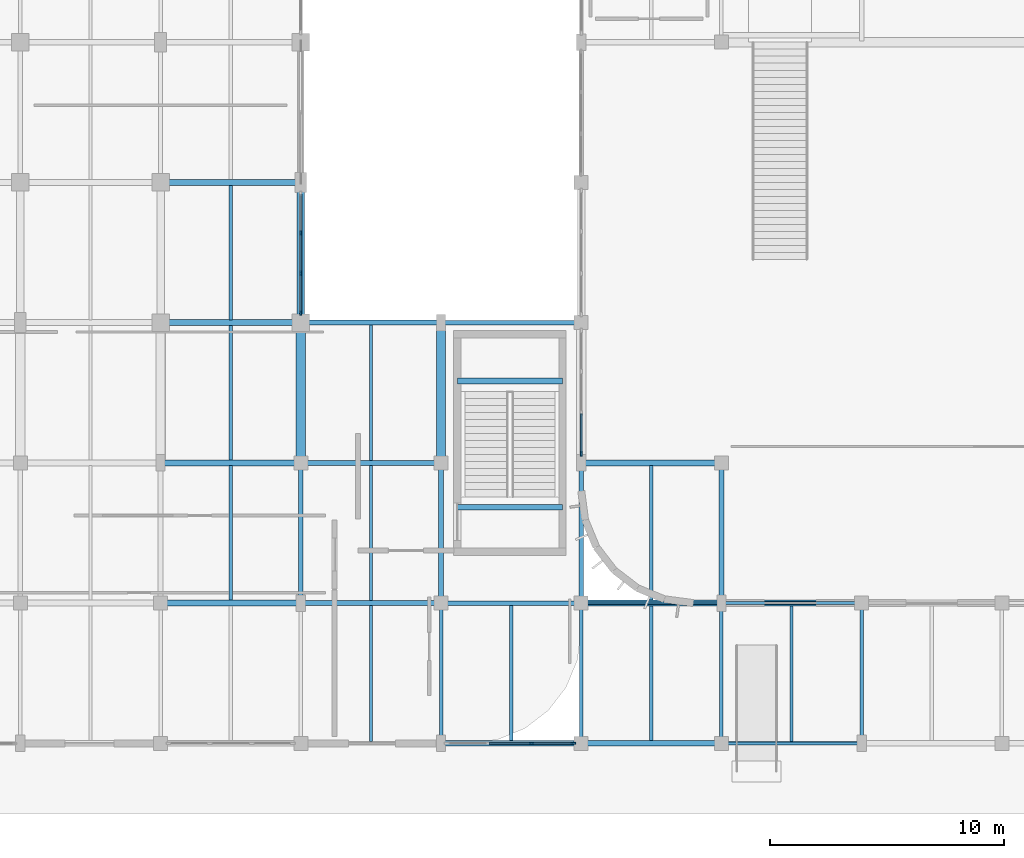
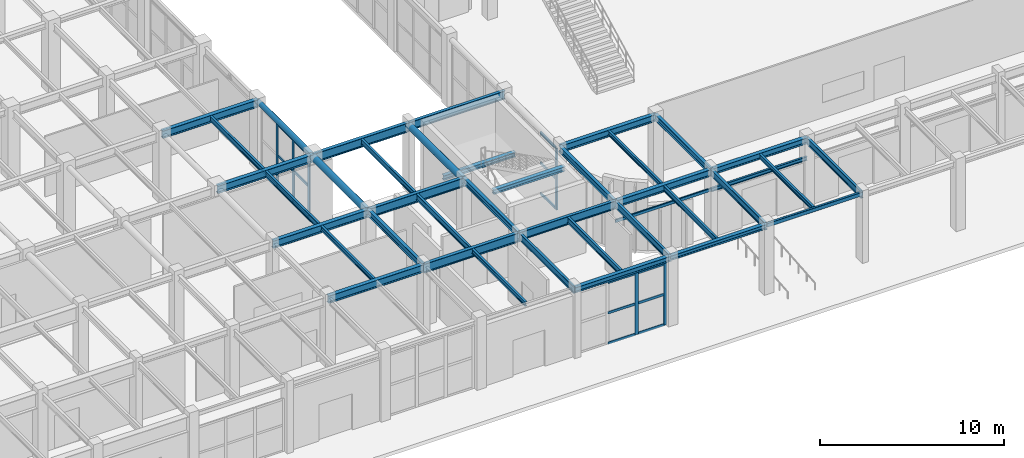
# One storey, part 7 of 76: 40 beams, 22 members, 3 elements without a shape of their own.
"""IFC4 building model written with IfcOpenShell, lengths in metres."""

from ifc_helpers import new_model, si_unit, direction, frame, origin, origin_2d, place, context, subcontext, project, spatial, rectangle, hollow_rectangle, hollow_circle, i_section, extrude, material, material_profile, profile_set, type_object, element, aggregate, save


model = new_model("IFC4")

# Units and contexts
model_context = context("Model", 3, precision=1e-05, world=origin(), true_north=direction((0.0, 1.0)))
body_context = subcontext(model_context, "Body", "Model", "MODEL_VIEW")
ifc_project = project(units=[si_unit("LENGTHUNIT", "METRE"), si_unit("AREAUNIT", "SQUARE_METRE"), si_unit("VOLUMEUNIT", "CUBIC_METRE"), si_unit("PLANEANGLEUNIT", "RADIAN"), si_unit("MASSUNIT", "GRAM", prefix="KILO")], contexts=[model_context])

# Site, building, storey
site_placement = place(None, origin())
site = spatial("IfcSite", under=ifc_project, at=site_placement, CompositionType="ELEMENT")
building_placement = place(site_placement, origin())
building = spatial("IfcBuilding", under=site, at=building_placement, Name="Varnakota Square Police Headquarters", CompositionType="ELEMENT")
storey_placement = place(building_placement, origin())
storey = spatial("IfcBuildingStorey", under=building, at=storey_placement, Name="L00", CompositionType="ELEMENT", Elevation=0.0)

# Beams
ifc_material_1 = material(Name="Steel IS 2062 Grade 350", Category="steel")
ifc_material_profile_1 = material_profile(ifc_material_1, hollow_circle(Radius=0.161865234375, WallThickness=0.0126953125, at=origin_2d()), Name="CHS 323.9x12.7")
ifc_profile_set_1 = profile_set([ifc_material_profile_1], Name="Steel IS 2062 Grade 350")
beam_type_1 = type_object("IfcBeamType", Name="BM-ARC-CHS324", PredefinedType="BEAM", material=ifc_profile_set_1)
beam_1_placement = place(storey_placement, frame((42.0, 21.0, 4.337890625), z_axis=(0.0, 1.0, 0.0), x_axis=(-1.0, 0.0, 0.0)))
element("IfcBeam", 1, at=beam_1_placement, inside=storey, type_object=beam_type_1, Name="BMG-L00-1013", PredefinedType="BEAM", context=body_context, shape_type="SweptSolid", body=[
    extrude(hollow_circle(Radius=0.161865234375, WallThickness=0.0126953125, at=origin_2d()), origin(), (0.0, 0.0, 1.0), 6.0),
])
ifc_material_profile_2 = material_profile(ifc_material_1, hollow_circle(Radius=0.203125, WallThickness=0.01611328125, at=origin_2d()), Name="CHS 406.4x16.0")
ifc_profile_set_2 = profile_set([ifc_material_profile_2], Name="Steel IS 2062 Grade 350")
beam_type_2 = type_object("IfcBeamType", Name="BM-ARC-CHS406", PredefinedType="BEAM", material=ifc_profile_set_2)
for number, where, z_axis, x_axis, name in (
    (2, (42.0, 15.0, 4.296875), (0.0, 1.0, 0.0), (-1.0, 0.0, 0.0), "BMG-L00-1012"),
    (3, (48.0, 15.0, 4.296875), (0.0, 1.0, 0.0), (-1.0, 0.0, 0.0), "BMG-L00-1026"),
):
    element("IfcBeam", number, at=place(storey_placement, frame(where, z_axis=z_axis, x_axis=x_axis)), inside=storey, type_object=beam_type_2, Name=name, PredefinedType="BEAM", context=body_context, shape_type="SweptSolid", body=[
        extrude(hollow_circle(Radius=0.203125, WallThickness=0.01611328125, at=origin_2d()), origin(), (0.0, 0.0, 1.0), 6.0),
    ])
ifc_material_profile_3 = material_profile(ifc_material_1, hollow_rectangle(XDim=0.14990234375, YDim=0.25, WallThickness=0.010009765625, InnerFilletRadius=0.010009765625, OuterFilletRadius=0.02001953125, at=origin_2d()), Name="RHS 250x150x10")
ifc_profile_set_3 = profile_set([ifc_material_profile_3], Name="Steel IS 2062 Grade 350")
beam_type_3 = type_object("IfcBeamType", Name="BM-CBEAM-RHS250", PredefinedType="BEAM", material=ifc_profile_set_3)
beam_2_placement = place(storey_placement, frame((60.0, 3.0, 4.375), z_axis=(1.0, 0.0, 0.0), x_axis=(0.0, 1.0, 0.0)))
element("IfcBeam", 4, at=beam_2_placement, inside=storey, type_object=beam_type_3, Name="BMG-L00-0699", PredefinedType="BEAM", context=body_context, shape_type="SweptSolid", body=[
    extrude(hollow_rectangle(XDim=0.14990234375, YDim=0.25, WallThickness=0.010009765625, InnerFilletRadius=0.010009765625, OuterFilletRadius=0.02001953125, at=origin_2d()), origin(), (0.0, 0.0, 1.0), 6.0),
])
ifc_material_profile_4 = material_profile(ifc_material_1, i_section(OverallWidth=0.25, OverallDepth=0.300048828125, WebThickness=0.009521484375, FlangeThickness=0.010498046875, FilletRadius=0.011962890625, at=origin_2d()), Name="ISHB 300")
ifc_profile_set_4 = profile_set([ifc_material_profile_4], Name="Steel IS 2062 Grade 350")
beam_type_4 = type_object("IfcBeamType", Name="BM-ISHB300", PredefinedType="BEAM", material=ifc_profile_set_4)
beam_3_placement = place(storey_placement, frame((54.0, 3.0, 4.35009765625), z_axis=(1.0, 0.0, 0.0), x_axis=(0.0, 1.0, 0.0)))
element("IfcBeam", 5, at=beam_3_placement, inside=storey, type_object=beam_type_4, Name="BMG-L00-0698", PredefinedType="BEAM", context=body_context, shape_type="SweptSolid", body=[
    extrude(i_section(OverallWidth=0.25, OverallDepth=0.300048828125, WebThickness=0.009521484375, FlangeThickness=0.010498046875, FilletRadius=0.011962890625, at=origin_2d()), origin(), (0.0, 0.0, 1.0), 6.0),
])
for number, where, z_axis, x_axis, name in (
    (6, (48.699951171875, 18.500732421875, 2.092041015625), (1.0, 0.0, 0.0), (0.0, 1.0, 0.0), "Stair landing support beam BM-LND-0102"),
    (7, (48.699951171875, 13.10009765625, 4.429931640625), (1.0, 0.0, 0.0), (0.0, 1.0, 0.0), "Stair landing support beam BM-LND-0103"),
):
    element("IfcBeam", number, at=place(storey_placement, frame(where, z_axis=z_axis, x_axis=x_axis)), inside=storey, type_object=beam_type_4, Name=name, PredefinedType="BEAM", context=body_context, shape_type="SweptSolid", body=[
        extrude(i_section(OverallWidth=0.25, OverallDepth=0.300048828125, WebThickness=0.009521484375, FlangeThickness=0.010498046875, FilletRadius=0.011962890625, at=origin_2d()), origin(), (0.0, 0.0, 1.0), 4.5),
    ])
ifc_material_profile_5 = material_profile(ifc_material_1, i_section(OverallWidth=0.25, OverallDepth=0.35009765625, WebThickness=0.010009765625, FlangeThickness=0.01171875, FilletRadius=0.011962890625, at=origin_2d()), Name="ISHB 350")
ifc_profile_set_5 = profile_set([ifc_material_profile_5], Name="Steel IS 2062 Grade 350")
beam_type_5 = type_object("IfcBeamType", Name="BM-ISHB350", PredefinedType="BEAM", material=ifc_profile_set_5)
beam_4_placement = place(storey_placement, frame((48.0, 3.0, 4.324951171875), z_axis=(1.0, 0.0, 0.0), x_axis=(0.0, 1.0, 0.0)))
element("IfcBeam", 8, at=beam_4_placement, inside=storey, type_object=beam_type_5, Name="BMG-L00-0697", PredefinedType="BEAM", context=body_context, shape_type="SweptSolid", body=[
    extrude(i_section(OverallWidth=0.25, OverallDepth=0.35009765625, WebThickness=0.010009765625, FlangeThickness=0.01171875, FilletRadius=0.011962890625, at=origin_2d()), origin(), (0.0, 0.0, 1.0), 6.0),
])
ifc_material_profile_6 = material_profile(ifc_material_1, i_section(OverallWidth=0.25, OverallDepth=0.39990234375, WebThickness=0.010498046875, FlangeThickness=0.0126953125, FilletRadius=0.013916015625, at=origin_2d()), Name="ISHB 400")
ifc_profile_set_6 = profile_set([ifc_material_profile_6], Name="Steel IS 2062 Grade 350")
beam_type_6 = type_object("IfcBeamType", Name="BM-ISHB400", PredefinedType="BEAM", material=ifc_profile_set_6)
beam_5_placement = place(storey_placement, frame((60.0, 9.0, 4.300048828125), z_axis=(1.0, 0.0, 0.0), x_axis=(0.0, 1.0, 0.0)))
element("IfcBeam", 9, at=beam_5_placement, inside=storey, type_object=beam_type_6, Name="BMG-L00-0712", PredefinedType="BEAM", context=body_context, shape_type="SweptSolid", body=[
    extrude(i_section(OverallWidth=0.25, OverallDepth=0.39990234375, WebThickness=0.010498046875, FlangeThickness=0.0126953125, FilletRadius=0.013916015625, at=origin_2d()), origin(), (0.0, 0.0, 1.0), 6.0),
])
ifc_material_profile_7 = material_profile(ifc_material_1, i_section(OverallWidth=0.25, OverallDepth=0.449951171875, WebThickness=0.01123046875, FlangeThickness=0.013671875, FilletRadius=0.014892578125, at=origin_2d()), Name="ISHB 450")
ifc_profile_set_7 = profile_set([ifc_material_profile_7], Name="Steel IS 2062 Grade 350")
beam_type_7 = type_object("IfcBeamType", Name="BM-ISHB450", PredefinedType="BEAM", material=ifc_profile_set_7)
for number, where, z_axis, x_axis, name in (
    (10, (54.0, 9.0, 4.27490234375), (1.0, 0.0, 0.0), (0.0, 1.0, 0.0), "BMG-L00-0711"),
    (11, (54.0, 15.0, 4.27490234375), (1.0, 0.0, 0.0), (0.0, 1.0, 0.0), "BMG-L00-0730"),
):
    element("IfcBeam", number, at=place(storey_placement, frame(where, z_axis=z_axis, x_axis=x_axis)), inside=storey, type_object=beam_type_7, Name=name, PredefinedType="BEAM", context=body_context, shape_type="SweptSolid", body=[
        extrude(i_section(OverallWidth=0.25, OverallDepth=0.449951171875, WebThickness=0.01123046875, FlangeThickness=0.013671875, FilletRadius=0.014892578125, at=origin_2d()), origin(), (0.0, 0.0, 1.0), 6.0),
    ])
ifc_material_profile_8 = material_profile(ifc_material_1, i_section(OverallWidth=0.125, OverallDepth=0.25, WebThickness=0.0068359375, FlangeThickness=0.012451171875, FilletRadius=0.012939453125, at=origin_2d()), Name="ISMB 250")
ifc_profile_set_8 = profile_set([ifc_material_profile_8], Name="Steel IS 2062 Grade 350")
beam_type_8 = type_object("IfcBeamType", Name="BM-ISMB250", PredefinedType="LINTEL", material=ifc_profile_set_8)
beam_6_placement = place(storey_placement, frame((60.0, 9.0, 3.074951171875), z_axis=(1.0, 0.0, 0.0), x_axis=(0.0, 1.0, 0.0)))
element("IfcBeam", 12, at=beam_6_placement, inside=storey, type_object=beam_type_8, Name="Entrance lintel LNT-02", PredefinedType="LINTEL", context=body_context, shape_type="SweptSolid", body=[
    extrude(i_section(OverallWidth=0.125, OverallDepth=0.25, WebThickness=0.0068359375, FlangeThickness=0.012451171875, FilletRadius=0.012939453125, at=origin_2d()), origin(), (0.0, 0.0, 1.0), 6.0),
])
ifc_material_profile_9 = material_profile(ifc_material_1, i_section(OverallWidth=0.139892578125, OverallDepth=0.300048828125, WebThickness=0.0078125, FlangeThickness=0.01318359375, FilletRadius=0.013916015625, at=origin_2d()), Name="ISMB 300")
ifc_profile_set_9 = profile_set([ifc_material_profile_9], Name="Steel IS 2062 Grade 350")
beam_type_9 = type_object("IfcBeamType", Name="BM-ISMB300", PredefinedType="JOIST", material=ifc_profile_set_9)
beam_7_placement = place(storey_placement, frame((39.0, 9.123046875, 4.35009765625), z_axis=(0.0, 1.0, 0.0), x_axis=(-1.0, 0.0, 0.0)))
element("IfcBeam", 13, at=beam_7_placement, inside=storey, type_object=beam_type_9, Name="BMG-L00-1225", PredefinedType="JOIST", context=body_context, shape_type="SweptSolid", body=[
    extrude(i_section(OverallWidth=0.139892578125, OverallDepth=0.300048828125, WebThickness=0.0078125, FlangeThickness=0.01318359375, FilletRadius=0.013916015625, at=origin_2d()), origin(), (0.0, 0.0, 1.0), 5.75390625),
])
beam_8_placement = place(storey_placement, frame((45.0, 3.072998046875, 4.35009765625), z_axis=(0.0, 1.0, 0.0), x_axis=(-1.0, 0.0, 0.0)))
element("IfcBeam", 14, at=beam_8_placement, inside=storey, type_object=beam_type_9, Name="BMG-L00-1236", PredefinedType="JOIST", context=body_context, shape_type="SweptSolid", body=[
    extrude(i_section(OverallWidth=0.139892578125, OverallDepth=0.300048828125, WebThickness=0.0078125, FlangeThickness=0.01318359375, FilletRadius=0.013916015625, at=origin_2d()), origin(), (0.0, 0.0, 1.0), 5.823974609375),
])
beam_9_placement = place(storey_placement, frame((57.0, 9.123046875, 4.35009765625), z_axis=(0.0, 1.0, 0.0), x_axis=(-1.0, 0.0, 0.0)))
element("IfcBeam", 15, at=beam_9_placement, inside=storey, type_object=beam_type_9, Name="BMG-L00-1241", PredefinedType="JOIST", context=body_context, shape_type="SweptSolid", body=[
    extrude(i_section(OverallWidth=0.139892578125, OverallDepth=0.300048828125, WebThickness=0.0078125, FlangeThickness=0.01318359375, FilletRadius=0.013916015625, at=origin_2d()), origin(), (0.0, 0.0, 1.0), 5.75390625),
])
beam_10_placement = place(storey_placement, frame((63.0, 3.072998046875, 4.35009765625), z_axis=(0.0, 1.0, 0.0), x_axis=(-1.0, 0.0, 0.0)))
element("IfcBeam", 16, at=beam_10_placement, inside=storey, type_object=beam_type_9, Name="BMG-L00-1243", PredefinedType="JOIST", context=body_context, shape_type="SweptSolid", body=[
    extrude(i_section(OverallWidth=0.139892578125, OverallDepth=0.300048828125, WebThickness=0.0078125, FlangeThickness=0.01318359375, FilletRadius=0.013916015625, at=origin_2d()), origin(), (0.0, 0.0, 1.0), 5.803955078125),
])
ifc_material_profile_10 = material_profile(ifc_material_1, i_section(OverallWidth=0.139892578125, OverallDepth=0.35009765625, WebThickness=0.008056640625, FlangeThickness=0.01416015625, FilletRadius=0.013916015625, at=origin_2d()), Name="ISMB 350")
ifc_profile_set_10 = profile_set([ifc_material_profile_10], Name="Steel IS 2062 Grade 350")
beam_type_10 = type_object("IfcBeamType", Name="BM-ISMB350", PredefinedType="JOIST", material=ifc_profile_set_10)
beam_11_placement = place(storey_placement, frame((39.0, 21.123046875, 4.324951171875), z_axis=(0.0, 1.0, 0.0), x_axis=(-1.0, 0.0, 0.0)))
element("IfcBeam", 17, at=beam_11_placement, inside=storey, type_object=beam_type_10, Name="BMG-L00-1227", PredefinedType="JOIST", context=body_context, shape_type="SweptSolid", body=[
    extrude(i_section(OverallWidth=0.139892578125, OverallDepth=0.35009765625, WebThickness=0.008056640625, FlangeThickness=0.01416015625, FilletRadius=0.013916015625, at=origin_2d()), origin(), (0.0, 0.0, 1.0), 5.75390625),
])
beam_12_placement = place(storey_placement, frame((45.0, 15.10302734375, 4.324951171875), z_axis=(0.0, 1.0, 0.0), x_axis=(-1.0, 0.0, 0.0)))
element("IfcBeam", 18, at=beam_12_placement, inside=storey, type_object=beam_type_10, Name="BMG-L00-1238", PredefinedType="JOIST", context=body_context, shape_type="SweptSolid", body=[
    extrude(i_section(OverallWidth=0.139892578125, OverallDepth=0.35009765625, WebThickness=0.008056640625, FlangeThickness=0.01416015625, FilletRadius=0.013916015625, at=origin_2d()), origin(), (0.0, 0.0, 1.0), 5.7939453125),
])
beam_13_placement = place(storey_placement, frame((57.0, 3.123046875, 4.324951171875), z_axis=(0.0, 1.0, 0.0), x_axis=(-1.0, 0.0, 0.0)))
element("IfcBeam", 19, at=beam_13_placement, inside=storey, type_object=beam_type_10, Name="BMG-L00-1240", PredefinedType="JOIST", context=body_context, shape_type="SweptSolid", body=[
    extrude(i_section(OverallWidth=0.139892578125, OverallDepth=0.35009765625, WebThickness=0.008056640625, FlangeThickness=0.01416015625, FilletRadius=0.013916015625, at=origin_2d()), origin(), (0.0, 0.0, 1.0), 5.75390625),
])
ifc_material_profile_11 = material_profile(ifc_material_1, i_section(OverallWidth=0.139892578125, OverallDepth=0.39990234375, WebThickness=0.0087890625, FlangeThickness=0.01611328125, FilletRadius=0.013916015625, at=origin_2d()), Name="ISMB 400")
ifc_profile_set_11 = profile_set([ifc_material_profile_11], Name="Steel IS 2062 Grade 350")
beam_type_11 = type_object("IfcBeamType", Name="BM-ISMB400", PredefinedType="JOIST", material=ifc_profile_set_11)
beam_14_placement = place(storey_placement, frame((39.0, 15.123046875, 4.300048828125), z_axis=(0.0, 1.0, 0.0), x_axis=(-1.0, 0.0, 0.0)))
element("IfcBeam", 20, at=beam_14_placement, inside=storey, type_object=beam_type_11, Name="BMG-L00-1226", PredefinedType="JOIST", context=body_context, shape_type="SweptSolid", body=[
    extrude(i_section(OverallWidth=0.139892578125, OverallDepth=0.39990234375, WebThickness=0.0087890625, FlangeThickness=0.01611328125, FilletRadius=0.013916015625, at=origin_2d()), origin(), (0.0, 0.0, 1.0), 5.75390625),
])
beam_15_placement = place(storey_placement, frame((45.0, 9.10302734375, 4.300048828125), z_axis=(0.0, 1.0, 0.0), x_axis=(-1.0, 0.0, 0.0)))
element("IfcBeam", 21, at=beam_15_placement, inside=storey, type_object=beam_type_11, Name="BMG-L00-1237", PredefinedType="JOIST", context=body_context, shape_type="SweptSolid", body=[
    extrude(i_section(OverallWidth=0.139892578125, OverallDepth=0.39990234375, WebThickness=0.0087890625, FlangeThickness=0.01611328125, FilletRadius=0.013916015625, at=origin_2d()), origin(), (0.0, 0.0, 1.0), 5.7939453125),
])
beam_16_placement = place(storey_placement, frame((51.0, 3.123046875, 4.300048828125), z_axis=(0.0, 1.0, 0.0), x_axis=(-1.0, 0.0, 0.0)))
element("IfcBeam", 22, at=beam_16_placement, inside=storey, type_object=beam_type_11, Name="BMG-L00-1239", PredefinedType="JOIST", context=body_context, shape_type="SweptSolid", body=[
    extrude(i_section(OverallWidth=0.139892578125, OverallDepth=0.39990234375, WebThickness=0.0087890625, FlangeThickness=0.01611328125, FilletRadius=0.013916015625, at=origin_2d()), origin(), (0.0, 0.0, 1.0), 5.783935546875),
])
ifc_material_profile_12 = material_profile(ifc_material_1, i_section(OverallWidth=0.14990234375, OverallDepth=0.449951171875, WebThickness=0.009521484375, FlangeThickness=0.017333984375, FilletRadius=0.014892578125, at=origin_2d()), Name="ISMB 450")
ifc_profile_set_12 = profile_set([ifc_material_profile_12], Name="Steel IS 2062 Grade 350")
beam_type_12 = type_object("IfcBeamType", Name="BM-ISMB450", PredefinedType="BEAM", material=ifc_profile_set_12)
for number, where, z_axis, x_axis, name in (
    (23, (48.0, 3.0, 4.27490234375), (0.0, 1.0, 0.0), (-1.0, 0.0, 0.0), "BMG-L00-1024"),
    (24, (54.0, 3.0, 4.27490234375), (0.0, 1.0, 0.0), (-1.0, 0.0, 0.0), "BMG-L00-1030"),
    (25, (60.0, 3.0, 4.27490234375), (0.0, 1.0, 0.0), (-1.0, 0.0, 0.0), "BMG-L00-1041"),
    (26, (66.0, 3.0, 4.27490234375), (0.0, 1.0, 0.0), (-1.0, 0.0, 0.0), "BMG-L00-1047"),
):
    element("IfcBeam", number, at=place(storey_placement, frame(where, z_axis=z_axis, x_axis=x_axis)), inside=storey, type_object=beam_type_12, Name=name, PredefinedType="BEAM", context=body_context, shape_type="SweptSolid", body=[
        extrude(i_section(OverallWidth=0.14990234375, OverallDepth=0.449951171875, WebThickness=0.009521484375, FlangeThickness=0.017333984375, FilletRadius=0.014892578125, at=origin_2d()), origin(), (0.0, 0.0, 1.0), 6.0),
    ])
ifc_material_profile_13 = material_profile(ifc_material_1, i_section(OverallWidth=0.18994140625, OverallDepth=0.550048828125, WebThickness=0.01123046875, FlangeThickness=0.019287109375, FilletRadius=0.01806640625, at=origin_2d()), Name="ISMB 550")
ifc_profile_set_13 = profile_set([ifc_material_profile_13], Name="Steel IS 2062 Grade 350")
beam_type_13 = type_object("IfcBeamType", Name="BM-ISMB550", PredefinedType="BEAM", material=ifc_profile_set_13)
for number, where, z_axis, x_axis, name in (
    (27, (48.0, 9.0, 4.22509765625), (1.0, 0.0, 0.0), (0.0, 1.0, 0.0), "BMG-L00-0710"),
    (28, (48.0, 21.0, 4.22509765625), (1.0, 0.0, 0.0), (0.0, 1.0, 0.0), "BMG-L00-0747"),
):
    element("IfcBeam", number, at=place(storey_placement, frame(where, z_axis=z_axis, x_axis=x_axis)), inside=storey, type_object=beam_type_13, Name=name, PredefinedType="BEAM", context=body_context, shape_type="SweptSolid", body=[
        extrude(i_section(OverallWidth=0.18994140625, OverallDepth=0.550048828125, WebThickness=0.01123046875, FlangeThickness=0.019287109375, FilletRadius=0.01806640625, at=origin_2d()), origin(), (0.0, 0.0, 1.0), 6.0),
    ])
ifc_material_profile_14 = material_profile(ifc_material_1, i_section(OverallWidth=0.2099609375, OverallDepth=0.60009765625, WebThickness=0.011962890625, FlangeThickness=0.020751953125, FilletRadius=0.02001953125, at=origin_2d()), Name="ISMB 600")
ifc_profile_set_14 = profile_set([ifc_material_profile_14], Name="Steel IS 2062 Grade 350")
beam_type_14 = type_object("IfcBeamType", Name="BM-ISMB600", PredefinedType="BEAM", material=ifc_profile_set_14)
for number, where, z_axis, x_axis, name in (
    (29, (42.0, 9.0, 4.199951171875), (1.0, 0.0, 0.0), (0.0, 1.0, 0.0), "BMG-L00-0709"),
    (30, (42.0, 15.0, 4.199951171875), (1.0, 0.0, 0.0), (0.0, 1.0, 0.0), "BMG-L00-0729"),
    (31, (42.0, 21.0, 4.199951171875), (1.0, 0.0, 0.0), (0.0, 1.0, 0.0), "BMG-L00-0746"),
):
    element("IfcBeam", number, at=place(storey_placement, frame(where, z_axis=z_axis, x_axis=x_axis)), inside=storey, type_object=beam_type_14, Name=name, PredefinedType="BEAM", context=body_context, shape_type="SweptSolid", body=[
        extrude(i_section(OverallWidth=0.2099609375, OverallDepth=0.60009765625, WebThickness=0.011962890625, FlangeThickness=0.020751953125, FilletRadius=0.02001953125, at=origin_2d()), origin(), (0.0, 0.0, 1.0), 6.0),
    ])
ifc_material_profile_15 = material_profile(ifc_material_1, i_section(OverallWidth=0.199951171875, OverallDepth=0.39990234375, WebThickness=0.008544921875, FlangeThickness=0.012939453125, FilletRadius=0.012939453125, at=origin_2d()), Name="ISWB 400")
ifc_profile_set_15 = profile_set([ifc_material_profile_15], Name="Steel IS 2062 Grade 350")
beam_type_15 = type_object("IfcBeamType", Name="BM-ISWB400", PredefinedType="BEAM", material=ifc_profile_set_15)
for number, where, z_axis, x_axis, name in (
    (32, (42.0, 9.0, 4.300048828125), (0.0, 1.0, 0.0), (-1.0, 0.0, 0.0), "BMG-L00-1011"),
    (33, (48.0, 9.0, 4.300048828125), (0.0, 1.0, 0.0), (-1.0, 0.0, 0.0), "BMG-L00-1025"),
    (34, (54.0, 9.0, 4.300048828125), (0.0, 1.0, 0.0), (-1.0, 0.0, 0.0), "BMG-L00-1031"),
    (35, (60.0, 9.0, 4.300048828125), (0.0, 1.0, 0.0), (-1.0, 0.0, 0.0), "BMG-L00-1042"),
):
    element("IfcBeam", number, at=place(storey_placement, frame(where, z_axis=z_axis, x_axis=x_axis)), inside=storey, type_object=beam_type_15, Name=name, PredefinedType="BEAM", context=body_context, shape_type="SweptSolid", body=[
        extrude(i_section(OverallWidth=0.199951171875, OverallDepth=0.39990234375, WebThickness=0.008544921875, FlangeThickness=0.012939453125, FilletRadius=0.012939453125, at=origin_2d()), origin(), (0.0, 0.0, 1.0), 6.0),
    ])
ifc_material_profile_16 = material_profile(ifc_material_1, i_section(OverallWidth=0.25, OverallDepth=0.5, WebThickness=0.010009765625, FlangeThickness=0.0146484375, FilletRadius=0.014892578125, at=origin_2d()), Name="ISWB 500")
ifc_profile_set_16 = profile_set([ifc_material_profile_16], Name="Steel IS 2062 Grade 350")
beam_type_16 = type_object("IfcBeamType", Name="BM-ISWB500", PredefinedType="BEAM", material=ifc_profile_set_16)
for number, where, z_axis, x_axis, name in (
    (36, (36.0, 9.0, 4.25), (1.0, 0.0, 0.0), (0.0, 1.0, 0.0), "BMG-L00-0708"),
    (37, (36.0, 15.0, 4.25), (1.0, 0.0, 0.0), (0.0, 1.0, 0.0), "BMG-L00-0728"),
    (38, (36.0, 21.0, 4.25), (1.0, 0.0, 0.0), (0.0, 1.0, 0.0), "BMG-L00-0745"),
    (39, (36.0, 27.0, 4.25), (1.0, 0.0, 0.0), (0.0, 1.0, 0.0), "BMG-L00-0758"),
):
    element("IfcBeam", number, at=place(storey_placement, frame(where, z_axis=z_axis, x_axis=x_axis)), inside=storey, type_object=beam_type_16, Name=name, PredefinedType="BEAM", context=body_context, shape_type="SweptSolid", body=[
        extrude(i_section(OverallWidth=0.25, OverallDepth=0.5, WebThickness=0.010009765625, FlangeThickness=0.0146484375, FilletRadius=0.014892578125, at=origin_2d()), origin(), (0.0, 0.0, 1.0), 6.0),
    ])
ifc_material_profile_17 = material_profile(ifc_material_1, hollow_rectangle(XDim=0.10009765625, YDim=0.199951171875, WallThickness=0.008056640625, InnerFilletRadius=0.008056640625, OuterFilletRadius=0.01611328125, at=origin_2d()), Name="RHS 200x100x8")
ifc_profile_set_17 = profile_set([ifc_material_profile_17], Name="Steel IS 2062 Grade 350")
beam_type_17 = type_object("IfcBeamType", Name="BM-LNT-RHS200", PredefinedType="LINTEL", material=ifc_profile_set_17)
beam_17_placement = place(storey_placement, frame((54.0, 9.0, 3.10009765625), z_axis=(1.0, 0.0, 0.0), x_axis=(0.0, 1.0, 0.0)))
element("IfcBeam", 40, at=beam_17_placement, inside=storey, type_object=beam_type_17, Name="Entrance lintel LNT-01", PredefinedType="LINTEL", context=body_context, shape_type="SweptSolid", body=[
    extrude(hollow_rectangle(XDim=0.10009765625, YDim=0.199951171875, WallThickness=0.008056640625, InnerFilletRadius=0.008056640625, OuterFilletRadius=0.01611328125, at=origin_2d()), origin(), (0.0, 0.0, 1.0), 6.0),
])

# Curtain wall, member
ifc_material_2 = material(Name="Anodised Aluminium Framing", Category="aluminium")
curtain_wall_type_1 = type_object("IfcCurtainWallType", Name="CW-SYS-A", PredefinedType="NOTDEFINED", material=ifc_material_2)
curtain_wall_1_placement = place(storey_placement, origin())
curtain_wall_1 = element("IfcCurtainWall", 41, at=curtain_wall_1_placement, inside=storey, type_object=curtain_wall_type_1, Name="Unitised curtain wall CWG-L00-008", PredefinedType="NOTDEFINED")
ifc_material_3 = material(Name="Anodised Aluminium 6063-T6", Category="aluminium")
ifc_material_profile_18 = material_profile(ifc_material_3, rectangle(XDim=0.074951171875, YDim=0.199951171875, at=origin_2d()), Name="ALU MULLION 75x200")
ifc_profile_set_18 = profile_set([ifc_material_profile_18], Name="Anodised Aluminium 6063-T6")
member_type_1 = type_object("IfcMemberType", Name="CWM-180", PredefinedType="MULLION", material=ifc_profile_set_18)
member_1_placement = place(storey_placement, frame((54.0, 15.392578125, 0.0), z_axis=(0.0, 0.0, 1.0), x_axis=(-1.0, 0.0, 0.0)))
member_1 = element("IfcMember", 42, at=member_1_placement, type_object=member_type_1, Name="CWG-L00-008 mullion 1", PredefinedType="MULLION", context=body_context, shape_type="SweptSolid", body=[
    extrude(rectangle(XDim=0.074951171875, YDim=0.199951171875, at=origin_2d()), origin(), (0.0, 0.0, 1.0), 4.08349609375),
])

# Curtain wall, members
curtain_wall_2_placement = place(storey_placement, origin())
curtain_wall_2 = element("IfcCurtainWall", 43, at=curtain_wall_2_placement, inside=storey, type_object=curtain_wall_type_1, Name="Unitised curtain wall CWG-L00-038", PredefinedType="NOTDEFINED")
member_2_placement = place(storey_placement, frame((51.864990234375, 3.0, 0.0), z_axis=(0.0, 0.0, 1.0), x_axis=(0.0, 1.0, 0.0)))
member_2 = element("IfcMember", 44, at=member_2_placement, type_object=member_type_1, Name="CWG-L00-038 mullion 3", PredefinedType="MULLION", context=body_context, shape_type="SweptSolid", body=[
    extrude(rectangle(XDim=0.074951171875, YDim=0.199951171875, at=origin_2d()), origin(), (0.0, 0.0, 1.0), 4.090087890625),
])
member_3_placement = place(storey_placement, frame((53.657470703125, 3.0, 0.0), z_axis=(0.0, 0.0, 1.0), x_axis=(0.0, 1.0, 0.0)))
member_3 = element("IfcMember", 45, at=member_3_placement, type_object=member_type_1, Name="CWG-L00-038 mullion 4", PredefinedType="MULLION", context=body_context, shape_type="SweptSolid", body=[
    extrude(rectangle(XDim=0.074951171875, YDim=0.199951171875, at=origin_2d()), origin(), (0.0, 0.0, 1.0), 4.090087890625),
])

curtain_wall_type_2 = type_object("IfcCurtainWallType", Name="CW-SYS-D", PredefinedType="NOTDEFINED", material=ifc_material_2)
curtain_wall_3_placement = place(storey_placement, origin())
curtain_wall_3 = element("IfcCurtainWall", 46, at=curtain_wall_3_placement, inside=storey, type_object=curtain_wall_type_2, Name="Unitised curtain wall CWG-L00-127", PredefinedType="NOTDEFINED")
member_4_placement = place(storey_placement, frame((42.0, 21.41748046875, 0.0), z_axis=(0.0, 0.0, 1.0), x_axis=(-1.0, 0.0, 0.0)))
member_4 = element("IfcMember", 47, at=member_4_placement, type_object=member_type_1, Name="CWG-L00-127 mullion 1", PredefinedType="MULLION", context=body_context, shape_type="SweptSolid", body=[
    extrude(rectangle(XDim=0.074951171875, YDim=0.199951171875, at=origin_2d()), origin(), (0.0, 0.0, 1.0), 4.166015625),
])
member_5_placement = place(storey_placement, frame((42.0, 23.110107421875, 0.0), z_axis=(0.0, 0.0, 1.0), x_axis=(-1.0, 0.0, 0.0)))
member_5 = element("IfcMember", 48, at=member_5_placement, type_object=member_type_1, Name="CWG-L00-127 mullion 2", PredefinedType="MULLION", context=body_context, shape_type="SweptSolid", body=[
    extrude(rectangle(XDim=0.074951171875, YDim=0.199951171875, at=origin_2d()), origin(), (0.0, 0.0, 1.0), 4.166015625),
])
member_6_placement = place(storey_placement, frame((42.0, 24.840087890625, 0.0), z_axis=(0.0, 0.0, 1.0), x_axis=(-1.0, 0.0, 0.0)))
member_6 = element("IfcMember", 49, at=member_6_placement, type_object=member_type_1, Name="CWG-L00-127 mullion 3", PredefinedType="MULLION", context=body_context, shape_type="SweptSolid", body=[
    extrude(rectangle(XDim=0.074951171875, YDim=0.199951171875, at=origin_2d()), origin(), (0.0, 0.0, 1.0), 4.166015625),
])

# Member
ifc_material_profile_19 = material_profile(ifc_material_3, rectangle(XDim=0.074951171875, YDim=0.159912109375, at=origin_2d()), Name="ALU TRANSOM 75x160")
ifc_profile_set_19 = profile_set([ifc_material_profile_19], Name="Anodised Aluminium 6063-T6")
member_type_2 = type_object("IfcMemberType", Name="CWT-150", PredefinedType="USERDEFINED", material=ifc_profile_set_19)
member_7_placement = place(storey_placement, frame((54.0, 15.429931640625, 0.03759765625), z_axis=(0.0, 1.0, 0.0), x_axis=(-1.0, 0.0, 0.0)))
member_7 = element("IfcMember", 50, at=member_7_placement, type_object=member_type_2, Name="CWG-L00-008 transom 1.1", ObjectType="TRANSOM", PredefinedType="USERDEFINED", context=body_context, shape_type="SweptSolid", body=[
    extrude(rectangle(XDim=0.074951171875, YDim=0.159912109375, at=origin_2d()), origin(), (0.0, 0.0, 1.0), 1.66748046875),
])

member_8_placement = place(storey_placement, frame((54.0, 15.429931640625, 2.041748046875), z_axis=(0.0, 1.0, 0.0), x_axis=(-1.0, 0.0, 0.0)))
member_8 = element("IfcMember", 51, at=member_8_placement, type_object=member_type_2, Name="CWG-L00-008 transom 1.2", ObjectType="TRANSOM", PredefinedType="USERDEFINED", context=body_context, shape_type="SweptSolid", body=[
    extrude(rectangle(XDim=0.074951171875, YDim=0.159912109375, at=origin_2d()), origin(), (0.0, 0.0, 1.0), 1.66748046875),
])

member_9_placement = place(storey_placement, frame((54.0, 15.429931640625, 4.046142578125), z_axis=(0.0, 1.0, 0.0), x_axis=(-1.0, 0.0, 0.0)))
member_9 = element("IfcMember", 52, at=member_9_placement, type_object=member_type_2, Name="CWG-L00-008 transom 1.3", ObjectType="TRANSOM", PredefinedType="USERDEFINED", context=body_context, shape_type="SweptSolid", body=[
    extrude(rectangle(XDim=0.074951171875, YDim=0.159912109375, at=origin_2d()), origin(), (0.0, 0.0, 1.0), 1.66748046875),
])

aggregate(curtain_wall_1, [member_1, member_7, member_8, member_9])

member_10_placement = place(storey_placement, frame((50.072509765625, 3.0, 0.03759765625), z_axis=(1.0, 0.0, 0.0), x_axis=(0.0, 1.0, 0.0)))
member_10 = element("IfcMember", 53, at=member_10_placement, type_object=member_type_2, Name="CWG-L00-038 transom 2.1", ObjectType="TRANSOM", PredefinedType="USERDEFINED", context=body_context, shape_type="SweptSolid", body=[
    extrude(rectangle(XDim=0.074951171875, YDim=0.159912109375, at=origin_2d()), origin(), (0.0, 0.0, 1.0), 1.7548828125),
])

member_11_placement = place(storey_placement, frame((50.072509765625, 3.0, 2.044921875), z_axis=(1.0, 0.0, 0.0), x_axis=(0.0, 1.0, 0.0)))
member_11 = element("IfcMember", 54, at=member_11_placement, type_object=member_type_2, Name="CWG-L00-038 transom 2.2", ObjectType="TRANSOM", PredefinedType="USERDEFINED", context=body_context, shape_type="SweptSolid", body=[
    extrude(rectangle(XDim=0.074951171875, YDim=0.159912109375, at=origin_2d()), origin(), (0.0, 0.0, 1.0), 1.7548828125),
])

member_12_placement = place(storey_placement, frame((50.072509765625, 3.0, 4.052490234375), z_axis=(1.0, 0.0, 0.0), x_axis=(0.0, 1.0, 0.0)))
member_12 = element("IfcMember", 55, at=member_12_placement, type_object=member_type_2, Name="CWG-L00-038 transom 2.3", ObjectType="TRANSOM", PredefinedType="USERDEFINED", context=body_context, shape_type="SweptSolid", body=[
    extrude(rectangle(XDim=0.074951171875, YDim=0.159912109375, at=origin_2d()), origin(), (0.0, 0.0, 1.0), 1.7548828125),
])

member_13_placement = place(storey_placement, frame((51.902587890625, 3.0, 0.03759765625), z_axis=(1.0, 0.0, 0.0), x_axis=(0.0, 1.0, 0.0)))
member_13 = element("IfcMember", 56, at=member_13_placement, type_object=member_type_2, Name="CWG-L00-038 transom 3.1", ObjectType="TRANSOM", PredefinedType="USERDEFINED", context=body_context, shape_type="SweptSolid", body=[
    extrude(rectangle(XDim=0.074951171875, YDim=0.159912109375, at=origin_2d()), origin(), (0.0, 0.0, 1.0), 1.717529296875),
])

member_14_placement = place(storey_placement, frame((51.902587890625, 3.0, 2.044921875), z_axis=(1.0, 0.0, 0.0), x_axis=(0.0, 1.0, 0.0)))
member_14 = element("IfcMember", 57, at=member_14_placement, type_object=member_type_2, Name="CWG-L00-038 transom 3.2", ObjectType="TRANSOM", PredefinedType="USERDEFINED", context=body_context, shape_type="SweptSolid", body=[
    extrude(rectangle(XDim=0.074951171875, YDim=0.159912109375, at=origin_2d()), origin(), (0.0, 0.0, 1.0), 1.717529296875),
])

member_15_placement = place(storey_placement, frame((51.902587890625, 3.0, 4.052490234375), z_axis=(1.0, 0.0, 0.0), x_axis=(0.0, 1.0, 0.0)))
member_15 = element("IfcMember", 58, at=member_15_placement, type_object=member_type_2, Name="CWG-L00-038 transom 3.3", ObjectType="TRANSOM", PredefinedType="USERDEFINED", context=body_context, shape_type="SweptSolid", body=[
    extrude(rectangle(XDim=0.074951171875, YDim=0.159912109375, at=origin_2d()), origin(), (0.0, 0.0, 1.0), 1.717529296875),
])

aggregate(curtain_wall_2, [member_2, member_3, member_10, member_11, member_12, member_13, member_14, member_15])

member_16_placement = place(storey_placement, frame((42.0, 21.455078125, 0.03759765625), z_axis=(0.0, 1.0, 0.0), x_axis=(-1.0, 0.0, 0.0)))
member_16 = element("IfcMember", 59, at=member_16_placement, type_object=member_type_2, Name="CWG-L00-127 transom 1.1", ObjectType="TRANSOM", PredefinedType="USERDEFINED", context=body_context, shape_type="SweptSolid", body=[
    extrude(rectangle(XDim=0.074951171875, YDim=0.159912109375, at=origin_2d()), origin(), (0.0, 0.0, 1.0), 1.617431640625),
])

member_17_placement = place(storey_placement, frame((42.0, 21.455078125, 2.0830078125), z_axis=(0.0, 1.0, 0.0), x_axis=(-1.0, 0.0, 0.0)))
member_17 = element("IfcMember", 60, at=member_17_placement, type_object=member_type_2, Name="CWG-L00-127 transom 1.2", ObjectType="TRANSOM", PredefinedType="USERDEFINED", context=body_context, shape_type="SweptSolid", body=[
    extrude(rectangle(XDim=0.074951171875, YDim=0.159912109375, at=origin_2d()), origin(), (0.0, 0.0, 1.0), 1.617431640625),
])

member_18_placement = place(storey_placement, frame((42.0, 21.455078125, 4.128662109375), z_axis=(0.0, 1.0, 0.0), x_axis=(-1.0, 0.0, 0.0)))
member_18 = element("IfcMember", 61, at=member_18_placement, type_object=member_type_2, Name="CWG-L00-127 transom 1.3", ObjectType="TRANSOM", PredefinedType="USERDEFINED", context=body_context, shape_type="SweptSolid", body=[
    extrude(rectangle(XDim=0.074951171875, YDim=0.159912109375, at=origin_2d()), origin(), (0.0, 0.0, 1.0), 1.617431640625),
])

member_19_placement = place(storey_placement, frame((42.0, 23.1474609375, 0.03759765625), z_axis=(0.0, 1.0, 0.0), x_axis=(-1.0, 0.0, 0.0)))
member_19 = element("IfcMember", 62, at=member_19_placement, type_object=member_type_2, Name="CWG-L00-127 transom 2.1", ObjectType="TRANSOM", PredefinedType="USERDEFINED", context=body_context, shape_type="SweptSolid", body=[
    extrude(rectangle(XDim=0.074951171875, YDim=0.159912109375, at=origin_2d()), origin(), (0.0, 0.0, 1.0), 1.655029296875),
])

member_20_placement = place(storey_placement, frame((42.0, 23.1474609375, 2.0830078125), z_axis=(0.0, 1.0, 0.0), x_axis=(-1.0, 0.0, 0.0)))
member_20 = element("IfcMember", 63, at=member_20_placement, type_object=member_type_2, Name="CWG-L00-127 transom 2.2", ObjectType="TRANSOM", PredefinedType="USERDEFINED", context=body_context, shape_type="SweptSolid", body=[
    extrude(rectangle(XDim=0.074951171875, YDim=0.159912109375, at=origin_2d()), origin(), (0.0, 0.0, 1.0), 1.655029296875),
])

member_21_placement = place(storey_placement, frame((42.0, 23.1474609375, 4.128662109375), z_axis=(0.0, 1.0, 0.0), x_axis=(-1.0, 0.0, 0.0)))
member_21 = element("IfcMember", 64, at=member_21_placement, type_object=member_type_2, Name="CWG-L00-127 transom 2.3", ObjectType="TRANSOM", PredefinedType="USERDEFINED", context=body_context, shape_type="SweptSolid", body=[
    extrude(rectangle(XDim=0.074951171875, YDim=0.159912109375, at=origin_2d()), origin(), (0.0, 0.0, 1.0), 1.655029296875),
])

member_22_placement = place(storey_placement, frame((42.0, 24.87744140625, 0.03759765625), z_axis=(0.0, 1.0, 0.0), x_axis=(-1.0, 0.0, 0.0)))
member_22 = element("IfcMember", 65, at=member_22_placement, type_object=member_type_2, Name="CWG-L00-127 transom 3.1", ObjectType="TRANSOM", PredefinedType="USERDEFINED", context=body_context, shape_type="SweptSolid", body=[
    extrude(rectangle(XDim=0.074951171875, YDim=0.159912109375, at=origin_2d()), origin(), (0.0, 0.0, 1.0), 1.61767578125),
])

aggregate(curtain_wall_3, [member_4, member_5, member_6, member_16, member_17, member_18, member_19, member_20, member_21, member_22])

save(model, "model.ifc")
